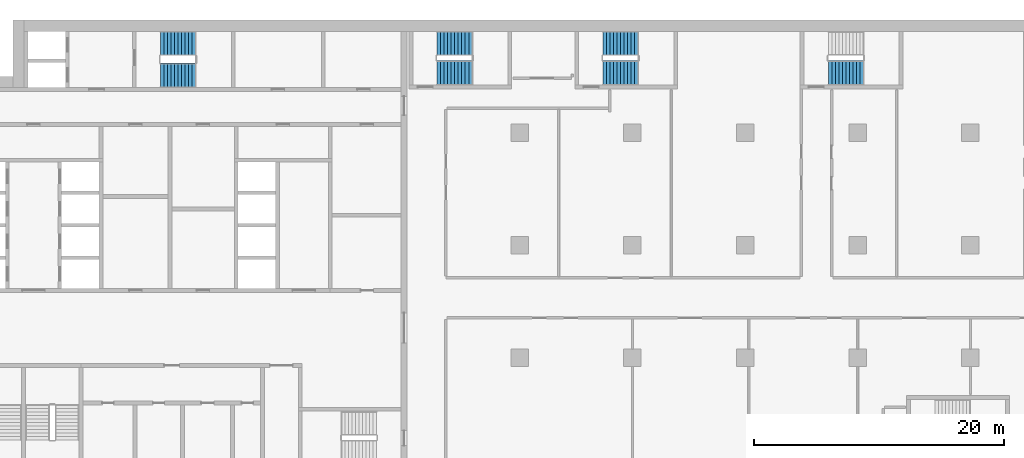
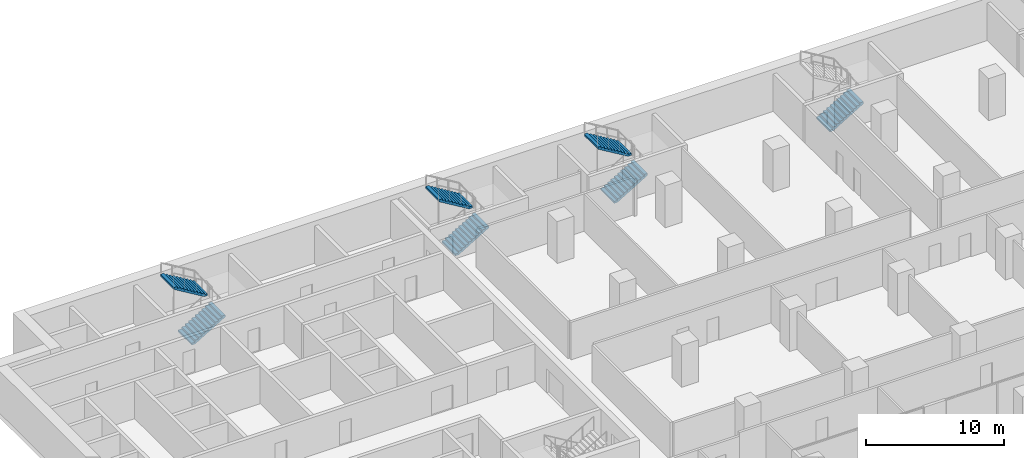
# One storey, part 22 of 29: 7 stair flights, 4 elements without a shape of their own.
"""IFC4 building model written with IfcOpenShell, lengths in metres."""

from ifc_helpers import new_model, si_unit, direction, frame, origin, place, context, subcontext, project, spatial, polyline, outline, extrude, material, type_object, element, aggregate, save


model = new_model("IFC4")

# Units and contexts
model_context = context("Model", 3, precision=1e-05, world=origin(), true_north=direction((0.0, 1.0)))
body_context = subcontext(model_context, "Body", "Model", "MODEL_VIEW")
ifc_project = project(units=[si_unit("LENGTHUNIT", "METRE"), si_unit("AREAUNIT", "SQUARE_METRE"), si_unit("VOLUMEUNIT", "CUBIC_METRE"), si_unit("PLANEANGLEUNIT", "RADIAN"), si_unit("MASSUNIT", "GRAM", prefix="KILO")], contexts=[model_context])

# Site, building, storey
site_placement = place(None, origin())
site = spatial("IfcSite", under=ifc_project, at=site_placement, CompositionType="ELEMENT")
building_placement = place(site_placement, origin())
building = spatial("IfcBuilding", under=site, at=building_placement, Name="Hunhe Ridgeline Campus", CompositionType="ELEMENT")
storey_placement = place(building_placement, frame((0.0, 0.0, 69.10009765625)))
storey = spatial("IfcBuildingStorey", under=building, at=storey_placement, Name="L16", CompositionType="ELEMENT", Elevation=69.10009765625)

# Stair, stair flights
ifc_material = material(Name="Concrete C40", Category="concrete")
stair_type = type_object("IfcStairType", Name="Reinforced concrete dog-leg stair 1950 Concrete C40", PredefinedType="HALF_TURN_STAIR", material=ifc_material)
stair_1_placement = place(storey_placement, origin())
stair_1 = element("IfcStair", 1, at=stair_1_placement, inside=storey, type_object=stair_type, Name="L16 S1", PredefinedType="HALF_TURN_STAIR")
stair_flight_type = type_object("IfcStairFlightType", Name="Reinforced concrete stair flight 1950 Concrete C40", PredefinedType="STRAIGHT", material=ifc_material)
stair_flight_1_placement = place(storey_placement, frame((16.300048828125, 94.574951171875, 0.0), z_axis=(0.0, 0.0, 1.0), x_axis=(1.0, 0.0, 0.0)))
stair_flight_1 = element("IfcStairFlight", 2, at=stair_flight_1_placement, type_object=stair_flight_type, Name="ST1 flight 1", NumberOfRisers=11, NumberOfTreads=10, PredefinedType="STRAIGHT", RiserHeight=0.168181818, TreadLength=0.28, context=body_context, shape_type="SweptSolid", body=[
    extrude(outline(polyline([(0.0, 0.0), (0.0, 0.168212890625), (0.280029296875, 0.168212890625), (0.280029296875, 0.33642578125), (0.56005859375, 0.33642578125), (0.56005859375, 0.504638671875), (0.840087890625, 0.504638671875), (0.840087890625, 0.672607421875), (1.1201171875, 0.672607421875), (1.1201171875, 0.8408203125), (1.39990234375, 0.8408203125), (1.39990234375, 1.009033203125), (1.679931640625, 1.009033203125), (1.679931640625, 1.17724609375), (1.9599609375, 1.17724609375), (1.9599609375, 1.345458984375), (2.239990234375, 1.345458984375), (2.239990234375, 1.513671875), (2.52001953125, 1.513671875), (2.52001953125, 1.681884765625), (2.800048828125, 1.681884765625), (2.800048828125, 1.85009765625), (2.800048828125, 1.5068359375), (0.291015625, 0.0), (0.0, 0.0)])), frame((0.0, 0.97509765625, 0.0), z_axis=(0.0, -1.0, 0.0), x_axis=(1.0, 0.0, 0.0)), (0.0, 0.0, 1.0), 1.949951171875),
    extrude(outline(polyline([(0.030029296875, 0.030029296875), (0.030029296875, 0.13818359375), (0.31005859375, 0.13818359375), (0.31005859375, 0.306396484375), (0.590087890625, 0.306396484375), (0.590087890625, 0.474609375), (0.8701171875, 0.474609375), (0.8701171875, 0.642578125), (1.14990234375, 0.642578125), (1.14990234375, 0.810791015625), (1.429931640625, 0.810791015625), (1.429931640625, 0.97900390625), (1.7099609375, 0.97900390625), (1.7099609375, 1.147216796875), (1.989990234375, 1.147216796875), (1.989990234375, 1.3154296875), (2.27001953125, 1.3154296875), (2.27001953125, 1.483642578125), (2.550048828125, 1.483642578125), (2.550048828125, 1.65185546875), (2.77001953125, 1.65185546875), (2.77001953125, 1.52392578125), (0.28271484375, 0.030029296875), (0.030029296875, 0.030029296875)])), frame((0.0, -0.070068359375, 0.0), z_axis=(0.0, -1.0, 0.0), x_axis=(1.0, 0.0, 0.0)), (0.0, 0.0, 1.0), 0.019775390625),
    extrude(outline(polyline([(0.030029296875, 0.030029296875), (0.030029296875, 0.13818359375), (0.31005859375, 0.13818359375), (0.31005859375, 0.306396484375), (0.590087890625, 0.306396484375), (0.590087890625, 0.474609375), (0.8701171875, 0.474609375), (0.8701171875, 0.642578125), (1.14990234375, 0.642578125), (1.14990234375, 0.810791015625), (1.429931640625, 0.810791015625), (1.429931640625, 0.97900390625), (1.7099609375, 0.97900390625), (1.7099609375, 1.147216796875), (1.989990234375, 1.147216796875), (1.989990234375, 1.3154296875), (2.27001953125, 1.3154296875), (2.27001953125, 1.483642578125), (2.550048828125, 1.483642578125), (2.550048828125, 1.65185546875), (2.77001953125, 1.65185546875), (2.77001953125, 1.52392578125), (0.28271484375, 0.030029296875), (0.030029296875, 0.030029296875)])), frame((0.0, 0.010009765625, 0.0), z_axis=(0.0, -1.0, 0.0), x_axis=(1.0, 0.0, 0.0)), (0.0, 0.0, 1.0), 0.019775390625),
    extrude(outline(polyline([(0.030029296875, 0.030029296875), (0.030029296875, 0.13818359375), (0.31005859375, 0.13818359375), (0.31005859375, 0.306396484375), (0.590087890625, 0.306396484375), (0.590087890625, 0.474609375), (0.8701171875, 0.474609375), (0.8701171875, 0.642578125), (1.14990234375, 0.642578125), (1.14990234375, 0.810791015625), (1.429931640625, 0.810791015625), (1.429931640625, 0.97900390625), (1.7099609375, 0.97900390625), (1.7099609375, 1.147216796875), (1.989990234375, 1.147216796875), (1.989990234375, 1.3154296875), (2.27001953125, 1.3154296875), (2.27001953125, 1.483642578125), (2.550048828125, 1.483642578125), (2.550048828125, 1.65185546875), (2.77001953125, 1.65185546875), (2.77001953125, 1.52392578125), (0.28271484375, 0.030029296875), (0.030029296875, 0.030029296875)])), frame((0.0, 0.090087890625, 0.0), z_axis=(0.0, -1.0, 0.0), x_axis=(1.0, 0.0, 0.0)), (0.0, 0.0, 1.0), 0.019775390625),
])
stair_flight_2_placement = place(storey_placement, frame((19.10009765625, 97.125, 1.849853515625), z_axis=(0.0, 0.0, 1.0), x_axis=(-1.0, 0.0, 0.0)))
stair_flight_2 = element("IfcStairFlight", 3, at=stair_flight_2_placement, type_object=stair_flight_type, Name="ST1 flight 2", NumberOfRisers=11, NumberOfTreads=10, PredefinedType="STRAIGHT", RiserHeight=0.168181818, TreadLength=0.28, context=body_context, shape_type="SweptSolid", body=[
    extrude(outline(polyline([(0.0, 0.0), (0.0, 0.168212890625), (0.280029296875, 0.168212890625), (0.280029296875, 0.33642578125), (0.56005859375, 0.33642578125), (0.56005859375, 0.504638671875), (0.840087890625, 0.504638671875), (0.840087890625, 0.672607421875), (1.1201171875, 0.672607421875), (1.1201171875, 0.8408203125), (1.39990234375, 0.8408203125), (1.39990234375, 1.009033203125), (1.679931640625, 1.009033203125), (1.679931640625, 1.17724609375), (1.9599609375, 1.17724609375), (1.9599609375, 1.345458984375), (2.239990234375, 1.345458984375), (2.239990234375, 1.513671875), (2.52001953125, 1.513671875), (2.52001953125, 1.681884765625), (2.800048828125, 1.681884765625), (2.800048828125, 1.85009765625), (2.800048828125, 1.5068359375), (0.291015625, 0.0), (0.0, 0.0)])), frame((0.0, 0.97509765625, 0.0), z_axis=(0.0, -1.0, 0.0), x_axis=(1.0, 0.0, 0.0)), (0.0, 0.0, 1.0), 1.949951171875),
    extrude(outline(polyline([(0.030029296875, 0.030029296875), (0.030029296875, 0.13818359375), (0.31005859375, 0.13818359375), (0.31005859375, 0.306396484375), (0.590087890625, 0.306396484375), (0.590087890625, 0.474609375), (0.8701171875, 0.474609375), (0.8701171875, 0.642578125), (1.14990234375, 0.642578125), (1.14990234375, 0.810791015625), (1.429931640625, 0.810791015625), (1.429931640625, 0.97900390625), (1.7099609375, 0.97900390625), (1.7099609375, 1.147216796875), (1.989990234375, 1.147216796875), (1.989990234375, 1.3154296875), (2.27001953125, 1.3154296875), (2.27001953125, 1.483642578125), (2.550048828125, 1.483642578125), (2.550048828125, 1.65185546875), (2.77001953125, 1.65185546875), (2.77001953125, 1.52392578125), (0.28271484375, 0.030029296875), (0.030029296875, 0.030029296875)])), frame((0.0, -0.070068359375, 0.0), z_axis=(0.0, -1.0, 0.0), x_axis=(1.0, 0.0, 0.0)), (0.0, 0.0, 1.0), 0.019775390625),
    extrude(outline(polyline([(0.030029296875, 0.030029296875), (0.030029296875, 0.13818359375), (0.31005859375, 0.13818359375), (0.31005859375, 0.306396484375), (0.590087890625, 0.306396484375), (0.590087890625, 0.474609375), (0.8701171875, 0.474609375), (0.8701171875, 0.642578125), (1.14990234375, 0.642578125), (1.14990234375, 0.810791015625), (1.429931640625, 0.810791015625), (1.429931640625, 0.97900390625), (1.7099609375, 0.97900390625), (1.7099609375, 1.147216796875), (1.989990234375, 1.147216796875), (1.989990234375, 1.3154296875), (2.27001953125, 1.3154296875), (2.27001953125, 1.483642578125), (2.550048828125, 1.483642578125), (2.550048828125, 1.65185546875), (2.77001953125, 1.65185546875), (2.77001953125, 1.52392578125), (0.28271484375, 0.030029296875), (0.030029296875, 0.030029296875)])), frame((0.0, 0.010009765625, 0.0), z_axis=(0.0, -1.0, 0.0), x_axis=(1.0, 0.0, 0.0)), (0.0, 0.0, 1.0), 0.019775390625),
    extrude(outline(polyline([(0.030029296875, 0.030029296875), (0.030029296875, 0.13818359375), (0.31005859375, 0.13818359375), (0.31005859375, 0.306396484375), (0.590087890625, 0.306396484375), (0.590087890625, 0.474609375), (0.8701171875, 0.474609375), (0.8701171875, 0.642578125), (1.14990234375, 0.642578125), (1.14990234375, 0.810791015625), (1.429931640625, 0.810791015625), (1.429931640625, 0.97900390625), (1.7099609375, 0.97900390625), (1.7099609375, 1.147216796875), (1.989990234375, 1.147216796875), (1.989990234375, 1.3154296875), (2.27001953125, 1.3154296875), (2.27001953125, 1.483642578125), (2.550048828125, 1.483642578125), (2.550048828125, 1.65185546875), (2.77001953125, 1.65185546875), (2.77001953125, 1.52392578125), (0.28271484375, 0.030029296875), (0.030029296875, 0.030029296875)])), frame((0.0, 0.090087890625, 0.0), z_axis=(0.0, -1.0, 0.0), x_axis=(1.0, 0.0, 0.0)), (0.0, 0.0, 1.0), 0.019775390625),
])
aggregate(stair_1, [stair_flight_1, stair_flight_2])

stair_2_placement = place(storey_placement, origin())
stair_2 = element("IfcStair", 4, at=stair_2_placement, inside=storey, type_object=stair_type, Name="L16 E1", PredefinedType="HALF_TURN_STAIR")
stair_flight_3_placement = place(storey_placement, frame((38.39990234375, 94.77490234375, 0.0), z_axis=(0.0, 0.0, 1.0), x_axis=(1.0, 0.0, 0.0)))
stair_flight_3 = element("IfcStairFlight", 5, at=stair_flight_3_placement, type_object=stair_flight_type, Name="ST5 flight 1", NumberOfRisers=11, NumberOfTreads=10, PredefinedType="STRAIGHT", RiserHeight=0.168181818, TreadLength=0.28, context=body_context, shape_type="SweptSolid", body=[
    extrude(outline(polyline([(0.0, 0.0), (0.0, 0.168212890625), (0.280029296875, 0.168212890625), (0.280029296875, 0.33642578125), (0.56005859375, 0.33642578125), (0.56005859375, 0.504638671875), (0.840087890625, 0.504638671875), (0.840087890625, 0.672607421875), (1.1201171875, 0.672607421875), (1.1201171875, 0.8408203125), (1.39990234375, 0.8408203125), (1.39990234375, 1.009033203125), (1.679931640625, 1.009033203125), (1.679931640625, 1.17724609375), (1.9599609375, 1.17724609375), (1.9599609375, 1.345458984375), (2.239990234375, 1.345458984375), (2.239990234375, 1.513671875), (2.52001953125, 1.513671875), (2.52001953125, 1.681884765625), (2.800048828125, 1.681884765625), (2.800048828125, 1.85009765625), (2.800048828125, 1.5068359375), (0.291015625, 0.0), (0.0, 0.0)])), frame((0.0, 0.97509765625, 0.0), z_axis=(0.0, -1.0, 0.0), x_axis=(1.0, 0.0, 0.0)), (0.0, 0.0, 1.0), 1.949951171875),
    extrude(outline(polyline([(0.030029296875, 0.030029296875), (0.030029296875, 0.13818359375), (0.31005859375, 0.13818359375), (0.31005859375, 0.306396484375), (0.590087890625, 0.306396484375), (0.590087890625, 0.474609375), (0.8701171875, 0.474609375), (0.8701171875, 0.642578125), (1.14990234375, 0.642578125), (1.14990234375, 0.810791015625), (1.429931640625, 0.810791015625), (1.429931640625, 0.97900390625), (1.7099609375, 0.97900390625), (1.7099609375, 1.147216796875), (1.989990234375, 1.147216796875), (1.989990234375, 1.3154296875), (2.27001953125, 1.3154296875), (2.27001953125, 1.483642578125), (2.550048828125, 1.483642578125), (2.550048828125, 1.65185546875), (2.77001953125, 1.65185546875), (2.77001953125, 1.52392578125), (0.28271484375, 0.030029296875), (0.030029296875, 0.030029296875)])), frame((0.0, -0.070068359375, 0.0), z_axis=(0.0, -1.0, 0.0), x_axis=(1.0, 0.0, 0.0)), (0.0, 0.0, 1.0), 0.019775390625),
    extrude(outline(polyline([(0.030029296875, 0.030029296875), (0.030029296875, 0.13818359375), (0.31005859375, 0.13818359375), (0.31005859375, 0.306396484375), (0.590087890625, 0.306396484375), (0.590087890625, 0.474609375), (0.8701171875, 0.474609375), (0.8701171875, 0.642578125), (1.14990234375, 0.642578125), (1.14990234375, 0.810791015625), (1.429931640625, 0.810791015625), (1.429931640625, 0.97900390625), (1.7099609375, 0.97900390625), (1.7099609375, 1.147216796875), (1.989990234375, 1.147216796875), (1.989990234375, 1.3154296875), (2.27001953125, 1.3154296875), (2.27001953125, 1.483642578125), (2.550048828125, 1.483642578125), (2.550048828125, 1.65185546875), (2.77001953125, 1.65185546875), (2.77001953125, 1.52392578125), (0.28271484375, 0.030029296875), (0.030029296875, 0.030029296875)])), frame((0.0, 0.010009765625, 0.0), z_axis=(0.0, -1.0, 0.0), x_axis=(1.0, 0.0, 0.0)), (0.0, 0.0, 1.0), 0.019775390625),
    extrude(outline(polyline([(0.030029296875, 0.030029296875), (0.030029296875, 0.13818359375), (0.31005859375, 0.13818359375), (0.31005859375, 0.306396484375), (0.590087890625, 0.306396484375), (0.590087890625, 0.474609375), (0.8701171875, 0.474609375), (0.8701171875, 0.642578125), (1.14990234375, 0.642578125), (1.14990234375, 0.810791015625), (1.429931640625, 0.810791015625), (1.429931640625, 0.97900390625), (1.7099609375, 0.97900390625), (1.7099609375, 1.147216796875), (1.989990234375, 1.147216796875), (1.989990234375, 1.3154296875), (2.27001953125, 1.3154296875), (2.27001953125, 1.483642578125), (2.550048828125, 1.483642578125), (2.550048828125, 1.65185546875), (2.77001953125, 1.65185546875), (2.77001953125, 1.52392578125), (0.28271484375, 0.030029296875), (0.030029296875, 0.030029296875)])), frame((0.0, 0.090087890625, 0.0), z_axis=(0.0, -1.0, 0.0), x_axis=(1.0, 0.0, 0.0)), (0.0, 0.0, 1.0), 0.019775390625),
])
stair_flight_4_placement = place(storey_placement, frame((41.199951171875, 97.125, 1.849853515625), z_axis=(0.0, 0.0, 1.0), x_axis=(-1.0, 0.0, 0.0)))
stair_flight_4 = element("IfcStairFlight", 6, at=stair_flight_4_placement, type_object=stair_flight_type, Name="ST5 flight 2", NumberOfRisers=11, NumberOfTreads=10, PredefinedType="STRAIGHT", RiserHeight=0.168181818, TreadLength=0.28, context=body_context, shape_type="SweptSolid", body=[
    extrude(outline(polyline([(0.0, 0.0), (0.0, 0.168212890625), (0.280029296875, 0.168212890625), (0.280029296875, 0.33642578125), (0.56005859375, 0.33642578125), (0.56005859375, 0.504638671875), (0.840087890625, 0.504638671875), (0.840087890625, 0.672607421875), (1.1201171875, 0.672607421875), (1.1201171875, 0.8408203125), (1.39990234375, 0.8408203125), (1.39990234375, 1.009033203125), (1.679931640625, 1.009033203125), (1.679931640625, 1.17724609375), (1.9599609375, 1.17724609375), (1.9599609375, 1.345458984375), (2.239990234375, 1.345458984375), (2.239990234375, 1.513671875), (2.52001953125, 1.513671875), (2.52001953125, 1.681884765625), (2.800048828125, 1.681884765625), (2.800048828125, 1.85009765625), (2.800048828125, 1.5068359375), (0.291015625, 0.0), (0.0, 0.0)])), frame((0.0, 0.97509765625, 0.0), z_axis=(0.0, -1.0, 0.0), x_axis=(1.0, 0.0, 0.0)), (0.0, 0.0, 1.0), 1.949951171875),
    extrude(outline(polyline([(0.030029296875, 0.030029296875), (0.030029296875, 0.13818359375), (0.31005859375, 0.13818359375), (0.31005859375, 0.306396484375), (0.590087890625, 0.306396484375), (0.590087890625, 0.474609375), (0.8701171875, 0.474609375), (0.8701171875, 0.642578125), (1.14990234375, 0.642578125), (1.14990234375, 0.810791015625), (1.429931640625, 0.810791015625), (1.429931640625, 0.97900390625), (1.7099609375, 0.97900390625), (1.7099609375, 1.147216796875), (1.989990234375, 1.147216796875), (1.989990234375, 1.3154296875), (2.27001953125, 1.3154296875), (2.27001953125, 1.483642578125), (2.550048828125, 1.483642578125), (2.550048828125, 1.65185546875), (2.77001953125, 1.65185546875), (2.77001953125, 1.52392578125), (0.28271484375, 0.030029296875), (0.030029296875, 0.030029296875)])), frame((0.0, -0.070068359375, 0.0), z_axis=(0.0, -1.0, 0.0), x_axis=(1.0, 0.0, 0.0)), (0.0, 0.0, 1.0), 0.019775390625),
    extrude(outline(polyline([(0.030029296875, 0.030029296875), (0.030029296875, 0.13818359375), (0.31005859375, 0.13818359375), (0.31005859375, 0.306396484375), (0.590087890625, 0.306396484375), (0.590087890625, 0.474609375), (0.8701171875, 0.474609375), (0.8701171875, 0.642578125), (1.14990234375, 0.642578125), (1.14990234375, 0.810791015625), (1.429931640625, 0.810791015625), (1.429931640625, 0.97900390625), (1.7099609375, 0.97900390625), (1.7099609375, 1.147216796875), (1.989990234375, 1.147216796875), (1.989990234375, 1.3154296875), (2.27001953125, 1.3154296875), (2.27001953125, 1.483642578125), (2.550048828125, 1.483642578125), (2.550048828125, 1.65185546875), (2.77001953125, 1.65185546875), (2.77001953125, 1.52392578125), (0.28271484375, 0.030029296875), (0.030029296875, 0.030029296875)])), frame((0.0, 0.010009765625, 0.0), z_axis=(0.0, -1.0, 0.0), x_axis=(1.0, 0.0, 0.0)), (0.0, 0.0, 1.0), 0.019775390625),
    extrude(outline(polyline([(0.030029296875, 0.030029296875), (0.030029296875, 0.13818359375), (0.31005859375, 0.13818359375), (0.31005859375, 0.306396484375), (0.590087890625, 0.306396484375), (0.590087890625, 0.474609375), (0.8701171875, 0.474609375), (0.8701171875, 0.642578125), (1.14990234375, 0.642578125), (1.14990234375, 0.810791015625), (1.429931640625, 0.810791015625), (1.429931640625, 0.97900390625), (1.7099609375, 0.97900390625), (1.7099609375, 1.147216796875), (1.989990234375, 1.147216796875), (1.989990234375, 1.3154296875), (2.27001953125, 1.3154296875), (2.27001953125, 1.483642578125), (2.550048828125, 1.483642578125), (2.550048828125, 1.65185546875), (2.77001953125, 1.65185546875), (2.77001953125, 1.52392578125), (0.28271484375, 0.030029296875), (0.030029296875, 0.030029296875)])), frame((0.0, 0.090087890625, 0.0), z_axis=(0.0, -1.0, 0.0), x_axis=(1.0, 0.0, 0.0)), (0.0, 0.0, 1.0), 0.019775390625),
])
aggregate(stair_2, [stair_flight_3, stair_flight_4])

stair_3_placement = place(storey_placement, origin())
stair_3 = element("IfcStair", 7, at=stair_3_placement, inside=storey, type_object=stair_type, Name="L16 E2", PredefinedType="HALF_TURN_STAIR")
stair_flight_5_placement = place(storey_placement, frame((51.64990234375, 94.77490234375, 0.0), z_axis=(0.0, 0.0, 1.0), x_axis=(1.0, 0.0, 0.0)))
stair_flight_5 = element("IfcStairFlight", 8, at=stair_flight_5_placement, type_object=stair_flight_type, Name="ST6 flight 1", NumberOfRisers=11, NumberOfTreads=10, PredefinedType="STRAIGHT", RiserHeight=0.168181818, TreadLength=0.28, context=body_context, shape_type="SweptSolid", body=[
    extrude(outline(polyline([(0.0, 0.0), (0.0, 0.168212890625), (0.280029296875, 0.168212890625), (0.280029296875, 0.33642578125), (0.56005859375, 0.33642578125), (0.56005859375, 0.504638671875), (0.840087890625, 0.504638671875), (0.840087890625, 0.672607421875), (1.1201171875, 0.672607421875), (1.1201171875, 0.8408203125), (1.39990234375, 0.8408203125), (1.39990234375, 1.009033203125), (1.679931640625, 1.009033203125), (1.679931640625, 1.17724609375), (1.9599609375, 1.17724609375), (1.9599609375, 1.345458984375), (2.239990234375, 1.345458984375), (2.239990234375, 1.513671875), (2.52001953125, 1.513671875), (2.52001953125, 1.681884765625), (2.800048828125, 1.681884765625), (2.800048828125, 1.85009765625), (2.800048828125, 1.5068359375), (0.291015625, 0.0), (0.0, 0.0)])), frame((0.0, 0.97509765625, 0.0), z_axis=(0.0, -1.0, 0.0), x_axis=(1.0, 0.0, 0.0)), (0.0, 0.0, 1.0), 1.949951171875),
    extrude(outline(polyline([(0.030029296875, 0.030029296875), (0.030029296875, 0.13818359375), (0.31005859375, 0.13818359375), (0.31005859375, 0.306396484375), (0.590087890625, 0.306396484375), (0.590087890625, 0.474609375), (0.8701171875, 0.474609375), (0.8701171875, 0.642578125), (1.14990234375, 0.642578125), (1.14990234375, 0.810791015625), (1.429931640625, 0.810791015625), (1.429931640625, 0.97900390625), (1.7099609375, 0.97900390625), (1.7099609375, 1.147216796875), (1.989990234375, 1.147216796875), (1.989990234375, 1.3154296875), (2.27001953125, 1.3154296875), (2.27001953125, 1.483642578125), (2.550048828125, 1.483642578125), (2.550048828125, 1.65185546875), (2.77001953125, 1.65185546875), (2.77001953125, 1.52392578125), (0.28271484375, 0.030029296875), (0.030029296875, 0.030029296875)])), frame((0.0, -0.070068359375, 0.0), z_axis=(0.0, -1.0, 0.0), x_axis=(1.0, 0.0, 0.0)), (0.0, 0.0, 1.0), 0.019775390625),
    extrude(outline(polyline([(0.030029296875, 0.030029296875), (0.030029296875, 0.13818359375), (0.31005859375, 0.13818359375), (0.31005859375, 0.306396484375), (0.590087890625, 0.306396484375), (0.590087890625, 0.474609375), (0.8701171875, 0.474609375), (0.8701171875, 0.642578125), (1.14990234375, 0.642578125), (1.14990234375, 0.810791015625), (1.429931640625, 0.810791015625), (1.429931640625, 0.97900390625), (1.7099609375, 0.97900390625), (1.7099609375, 1.147216796875), (1.989990234375, 1.147216796875), (1.989990234375, 1.3154296875), (2.27001953125, 1.3154296875), (2.27001953125, 1.483642578125), (2.550048828125, 1.483642578125), (2.550048828125, 1.65185546875), (2.77001953125, 1.65185546875), (2.77001953125, 1.52392578125), (0.28271484375, 0.030029296875), (0.030029296875, 0.030029296875)])), frame((0.0, 0.010009765625, 0.0), z_axis=(0.0, -1.0, 0.0), x_axis=(1.0, 0.0, 0.0)), (0.0, 0.0, 1.0), 0.019775390625),
    extrude(outline(polyline([(0.030029296875, 0.030029296875), (0.030029296875, 0.13818359375), (0.31005859375, 0.13818359375), (0.31005859375, 0.306396484375), (0.590087890625, 0.306396484375), (0.590087890625, 0.474609375), (0.8701171875, 0.474609375), (0.8701171875, 0.642578125), (1.14990234375, 0.642578125), (1.14990234375, 0.810791015625), (1.429931640625, 0.810791015625), (1.429931640625, 0.97900390625), (1.7099609375, 0.97900390625), (1.7099609375, 1.147216796875), (1.989990234375, 1.147216796875), (1.989990234375, 1.3154296875), (2.27001953125, 1.3154296875), (2.27001953125, 1.483642578125), (2.550048828125, 1.483642578125), (2.550048828125, 1.65185546875), (2.77001953125, 1.65185546875), (2.77001953125, 1.52392578125), (0.28271484375, 0.030029296875), (0.030029296875, 0.030029296875)])), frame((0.0, 0.090087890625, 0.0), z_axis=(0.0, -1.0, 0.0), x_axis=(1.0, 0.0, 0.0)), (0.0, 0.0, 1.0), 0.019775390625),
])
stair_flight_6_placement = place(storey_placement, frame((54.449951171875, 97.125, 1.849853515625), z_axis=(0.0, 0.0, 1.0), x_axis=(-1.0, 0.0, 0.0)))
stair_flight_6 = element("IfcStairFlight", 9, at=stair_flight_6_placement, type_object=stair_flight_type, Name="ST6 flight 2", NumberOfRisers=11, NumberOfTreads=10, PredefinedType="STRAIGHT", RiserHeight=0.168181818, TreadLength=0.28, context=body_context, shape_type="SweptSolid", body=[
    extrude(outline(polyline([(0.0, 0.0), (0.0, 0.168212890625), (0.280029296875, 0.168212890625), (0.280029296875, 0.33642578125), (0.56005859375, 0.33642578125), (0.56005859375, 0.504638671875), (0.840087890625, 0.504638671875), (0.840087890625, 0.672607421875), (1.1201171875, 0.672607421875), (1.1201171875, 0.8408203125), (1.39990234375, 0.8408203125), (1.39990234375, 1.009033203125), (1.679931640625, 1.009033203125), (1.679931640625, 1.17724609375), (1.9599609375, 1.17724609375), (1.9599609375, 1.345458984375), (2.239990234375, 1.345458984375), (2.239990234375, 1.513671875), (2.52001953125, 1.513671875), (2.52001953125, 1.681884765625), (2.800048828125, 1.681884765625), (2.800048828125, 1.85009765625), (2.800048828125, 1.5068359375), (0.291015625, 0.0), (0.0, 0.0)])), frame((0.0, 0.97509765625, 0.0), z_axis=(0.0, -1.0, 0.0), x_axis=(1.0, 0.0, 0.0)), (0.0, 0.0, 1.0), 1.949951171875),
    extrude(outline(polyline([(0.030029296875, 0.030029296875), (0.030029296875, 0.13818359375), (0.31005859375, 0.13818359375), (0.31005859375, 0.306396484375), (0.590087890625, 0.306396484375), (0.590087890625, 0.474609375), (0.8701171875, 0.474609375), (0.8701171875, 0.642578125), (1.14990234375, 0.642578125), (1.14990234375, 0.810791015625), (1.429931640625, 0.810791015625), (1.429931640625, 0.97900390625), (1.7099609375, 0.97900390625), (1.7099609375, 1.147216796875), (1.989990234375, 1.147216796875), (1.989990234375, 1.3154296875), (2.27001953125, 1.3154296875), (2.27001953125, 1.483642578125), (2.550048828125, 1.483642578125), (2.550048828125, 1.65185546875), (2.77001953125, 1.65185546875), (2.77001953125, 1.52392578125), (0.28271484375, 0.030029296875), (0.030029296875, 0.030029296875)])), frame((0.0, -0.070068359375, 0.0), z_axis=(0.0, -1.0, 0.0), x_axis=(1.0, 0.0, 0.0)), (0.0, 0.0, 1.0), 0.019775390625),
    extrude(outline(polyline([(0.030029296875, 0.030029296875), (0.030029296875, 0.13818359375), (0.31005859375, 0.13818359375), (0.31005859375, 0.306396484375), (0.590087890625, 0.306396484375), (0.590087890625, 0.474609375), (0.8701171875, 0.474609375), (0.8701171875, 0.642578125), (1.14990234375, 0.642578125), (1.14990234375, 0.810791015625), (1.429931640625, 0.810791015625), (1.429931640625, 0.97900390625), (1.7099609375, 0.97900390625), (1.7099609375, 1.147216796875), (1.989990234375, 1.147216796875), (1.989990234375, 1.3154296875), (2.27001953125, 1.3154296875), (2.27001953125, 1.483642578125), (2.550048828125, 1.483642578125), (2.550048828125, 1.65185546875), (2.77001953125, 1.65185546875), (2.77001953125, 1.52392578125), (0.28271484375, 0.030029296875), (0.030029296875, 0.030029296875)])), frame((0.0, 0.010009765625, 0.0), z_axis=(0.0, -1.0, 0.0), x_axis=(1.0, 0.0, 0.0)), (0.0, 0.0, 1.0), 0.019775390625),
    extrude(outline(polyline([(0.030029296875, 0.030029296875), (0.030029296875, 0.13818359375), (0.31005859375, 0.13818359375), (0.31005859375, 0.306396484375), (0.590087890625, 0.306396484375), (0.590087890625, 0.474609375), (0.8701171875, 0.474609375), (0.8701171875, 0.642578125), (1.14990234375, 0.642578125), (1.14990234375, 0.810791015625), (1.429931640625, 0.810791015625), (1.429931640625, 0.97900390625), (1.7099609375, 0.97900390625), (1.7099609375, 1.147216796875), (1.989990234375, 1.147216796875), (1.989990234375, 1.3154296875), (2.27001953125, 1.3154296875), (2.27001953125, 1.483642578125), (2.550048828125, 1.483642578125), (2.550048828125, 1.65185546875), (2.77001953125, 1.65185546875), (2.77001953125, 1.52392578125), (0.28271484375, 0.030029296875), (0.030029296875, 0.030029296875)])), frame((0.0, 0.090087890625, 0.0), z_axis=(0.0, -1.0, 0.0), x_axis=(1.0, 0.0, 0.0)), (0.0, 0.0, 1.0), 0.019775390625),
])
aggregate(stair_3, [stair_flight_5, stair_flight_6])

# Stair, stair flight
stair_4_placement = place(storey_placement, origin())
stair_4 = element("IfcStair", 10, at=stair_4_placement, inside=storey, type_object=stair_type, Name="L16 E3", PredefinedType="HALF_TURN_STAIR")
stair_flight_7_placement = place(storey_placement, frame((69.64990234375, 94.77490234375, 0.0), z_axis=(0.0, 0.0, 1.0), x_axis=(1.0, 0.0, 0.0)))
stair_flight_7 = element("IfcStairFlight", 11, at=stair_flight_7_placement, type_object=stair_flight_type, Name="ST7 flight 1", NumberOfRisers=11, NumberOfTreads=10, PredefinedType="STRAIGHT", RiserHeight=0.168181818, TreadLength=0.28, context=body_context, shape_type="SweptSolid", body=[
    extrude(outline(polyline([(0.0, 0.0), (0.0, 0.168212890625), (0.280029296875, 0.168212890625), (0.280029296875, 0.33642578125), (0.56005859375, 0.33642578125), (0.56005859375, 0.504638671875), (0.840087890625, 0.504638671875), (0.840087890625, 0.672607421875), (1.1201171875, 0.672607421875), (1.1201171875, 0.8408203125), (1.39990234375, 0.8408203125), (1.39990234375, 1.009033203125), (1.679931640625, 1.009033203125), (1.679931640625, 1.17724609375), (1.9599609375, 1.17724609375), (1.9599609375, 1.345458984375), (2.239990234375, 1.345458984375), (2.239990234375, 1.513671875), (2.52001953125, 1.513671875), (2.52001953125, 1.681884765625), (2.800048828125, 1.681884765625), (2.800048828125, 1.85009765625), (2.800048828125, 1.5068359375), (0.291015625, 0.0), (0.0, 0.0)])), frame((0.0, 0.97509765625, 0.0), z_axis=(0.0, -1.0, 0.0), x_axis=(1.0, 0.0, 0.0)), (0.0, 0.0, 1.0), 1.949951171875),
    extrude(outline(polyline([(0.030029296875, 0.030029296875), (0.030029296875, 0.13818359375), (0.31005859375, 0.13818359375), (0.31005859375, 0.306396484375), (0.590087890625, 0.306396484375), (0.590087890625, 0.474609375), (0.8701171875, 0.474609375), (0.8701171875, 0.642578125), (1.14990234375, 0.642578125), (1.14990234375, 0.810791015625), (1.429931640625, 0.810791015625), (1.429931640625, 0.97900390625), (1.7099609375, 0.97900390625), (1.7099609375, 1.147216796875), (1.989990234375, 1.147216796875), (1.989990234375, 1.3154296875), (2.27001953125, 1.3154296875), (2.27001953125, 1.483642578125), (2.550048828125, 1.483642578125), (2.550048828125, 1.65185546875), (2.77001953125, 1.65185546875), (2.77001953125, 1.52392578125), (0.28271484375, 0.030029296875), (0.030029296875, 0.030029296875)])), frame((0.0, -0.070068359375, 0.0), z_axis=(0.0, -1.0, 0.0), x_axis=(1.0, 0.0, 0.0)), (0.0, 0.0, 1.0), 0.019775390625),
    extrude(outline(polyline([(0.030029296875, 0.030029296875), (0.030029296875, 0.13818359375), (0.31005859375, 0.13818359375), (0.31005859375, 0.306396484375), (0.590087890625, 0.306396484375), (0.590087890625, 0.474609375), (0.8701171875, 0.474609375), (0.8701171875, 0.642578125), (1.14990234375, 0.642578125), (1.14990234375, 0.810791015625), (1.429931640625, 0.810791015625), (1.429931640625, 0.97900390625), (1.7099609375, 0.97900390625), (1.7099609375, 1.147216796875), (1.989990234375, 1.147216796875), (1.989990234375, 1.3154296875), (2.27001953125, 1.3154296875), (2.27001953125, 1.483642578125), (2.550048828125, 1.483642578125), (2.550048828125, 1.65185546875), (2.77001953125, 1.65185546875), (2.77001953125, 1.52392578125), (0.28271484375, 0.030029296875), (0.030029296875, 0.030029296875)])), frame((0.0, 0.010009765625, 0.0), z_axis=(0.0, -1.0, 0.0), x_axis=(1.0, 0.0, 0.0)), (0.0, 0.0, 1.0), 0.019775390625),
    extrude(outline(polyline([(0.030029296875, 0.030029296875), (0.030029296875, 0.13818359375), (0.31005859375, 0.13818359375), (0.31005859375, 0.306396484375), (0.590087890625, 0.306396484375), (0.590087890625, 0.474609375), (0.8701171875, 0.474609375), (0.8701171875, 0.642578125), (1.14990234375, 0.642578125), (1.14990234375, 0.810791015625), (1.429931640625, 0.810791015625), (1.429931640625, 0.97900390625), (1.7099609375, 0.97900390625), (1.7099609375, 1.147216796875), (1.989990234375, 1.147216796875), (1.989990234375, 1.3154296875), (2.27001953125, 1.3154296875), (2.27001953125, 1.483642578125), (2.550048828125, 1.483642578125), (2.550048828125, 1.65185546875), (2.77001953125, 1.65185546875), (2.77001953125, 1.52392578125), (0.28271484375, 0.030029296875), (0.030029296875, 0.030029296875)])), frame((0.0, 0.090087890625, 0.0), z_axis=(0.0, -1.0, 0.0), x_axis=(1.0, 0.0, 0.0)), (0.0, 0.0, 1.0), 0.019775390625),
])
aggregate(stair_4, [stair_flight_7])

save(model, "model.ifc")
